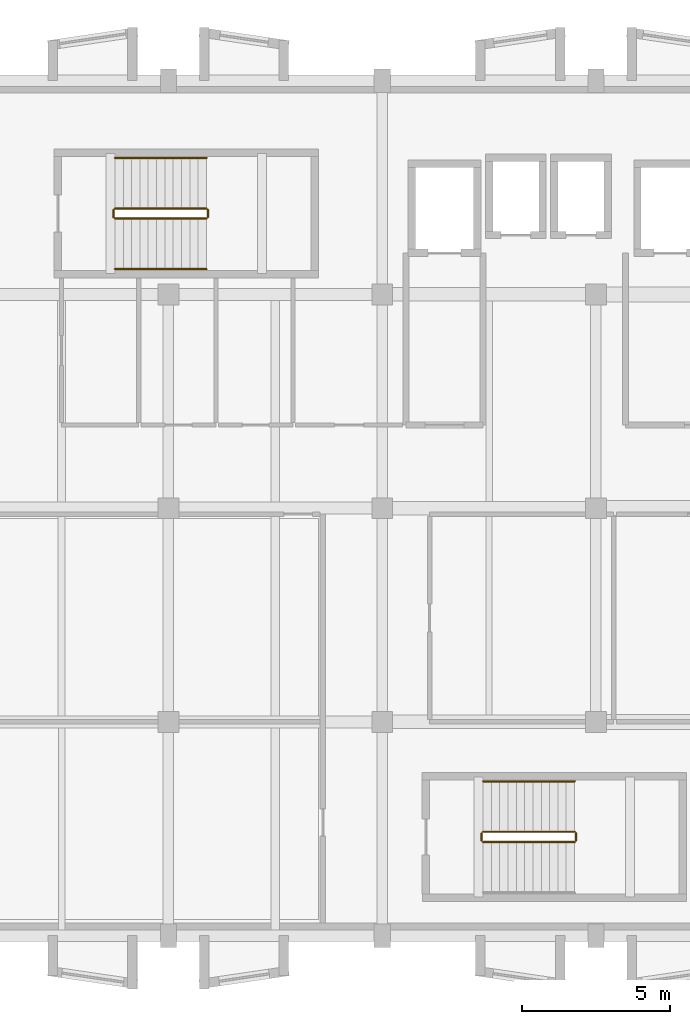
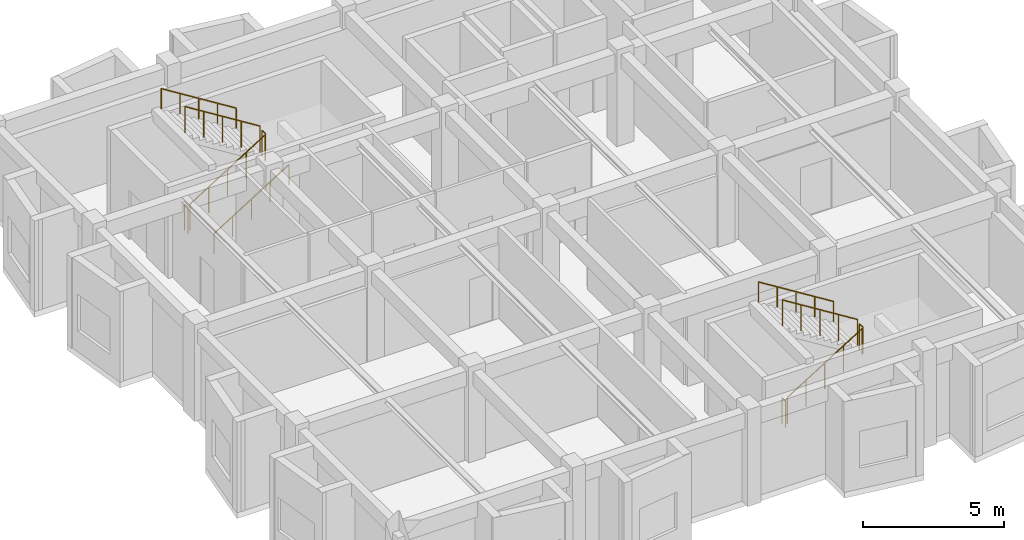
# One storey, part 49 of 49: 11 railings.
"""IFC4 building model written with IfcOpenShell, lengths in metres."""

import ifcopenshell
import ifcopenshell.guid

model = None  # the IFC model being written
_history = None  # IfcOwnerHistory: only IFC2X3 demands one
_inside = {}  # id of a spatial element -> (the spatial element, [elements in it])
_under = {}  # id of a project, library or spatial element -> (it, [spatial elements below it])
_declared = {}  # id of a project -> (the project, [libraries it declares])
_typed = {}  # id of a type object -> (the type object, [elements of that type])
_made_of = {}  # id of a material, layer set ... -> (it, [elements and type objects made of it])


def new_model(schema):
    """Start an empty IFC model of exactly this schema.

    Asked for "IFC4X3", IfcOpenShell would pick the latest addendum, in which some entities
    have other attributes; the version numbers below select the first issue.
    IFC2X3 requires an IfcOwnerHistory on every rooted entity: one is made here for all.
    """
    global model, _history
    if schema == "IFC4X3":
        model = ifcopenshell.file(schema_version=(4, 3, 0, 0))
    else:
        model = ifcopenshell.file(schema=schema)
    _inside.clear()
    _under.clear()
    _declared.clear()
    _typed.clear()
    _made_of.clear()
    _history = None
    if model.schema == "IFC2X3":
        org = make("IfcOrganization", Name="unknown")
        user = make(
            "IfcPersonAndOrganization",
            ThePerson=make("IfcPerson", FamilyName="unknown"),
            TheOrganization=org,
        )
        app = make(
            "IfcApplication",
            ApplicationDeveloper=org,
            Version="unknown",
            ApplicationFullName="unknown",
            ApplicationIdentifier="unknown",
        )
        _history = make(
            "IfcOwnerHistory",
            OwningUser=user,
            OwningApplication=app,
            ChangeAction="ADDED",
            CreationDate=0,
        )
    return model


def make(cls, **values):
    """One entity of the class cls with the attributes given. An attribute that is None is left unset."""
    return model.create_entity(
        cls, **{name: value for name, value in values.items() if value is not None}
    )


def rooted(cls, **values):
    """An entity with a GlobalId (a new one), such as an element, a storey or a relation."""
    return make(cls, GlobalId=ifcopenshell.guid.new(), OwnerHistory=_history, **values)


def si_unit(unit_type, name, prefix=None):
    """IfcSIUnit, for example si_unit("LENGTHUNIT", "METRE", prefix="MILLI")."""
    return make("IfcSIUnit", UnitType=unit_type, Prefix=prefix, Name=name)


def assignment(units):
    """IfcUnitAssignment: the units of a project."""
    return None if units is None else make("IfcUnitAssignment", Units=units)


def point(xyz):
    """IfcCartesianPoint."""
    return None if xyz is None else make("IfcCartesianPoint", Coordinates=xyz)


def direction(xyz):
    """IfcDirection."""
    return None if xyz is None else make("IfcDirection", DirectionRatios=xyz)


def frame(location, z_axis=None, x_axis=None):
    """IfcAxis2Placement3D, a coordinate frame: its origin and axes. An axis left out is left unset."""
    return make(
        "IfcAxis2Placement3D",
        Location=point(location),
        Axis=direction(z_axis),
        RefDirection=direction(x_axis),
    )


def frame_2d(location, x_axis=None):
    """IfcAxis2Placement2D, a coordinate frame in the plane: its origin and x axis."""
    return make(
        "IfcAxis2Placement2D", Location=point(location), RefDirection=direction(x_axis)
    )


def origin():
    """The frame at (0, 0, 0) with its axes left unset."""
    return frame((0.0, 0.0, 0.0))


def origin_2d():
    """The frame at (0, 0) in the plane with its x axis left unset."""
    return frame_2d((0.0, 0.0))


def place(relative_to, where):
    """IfcLocalPlacement: puts the frame where relative to a parent placement (None: the world)."""
    return make(
        "IfcLocalPlacement", PlacementRelTo=relative_to, RelativePlacement=where
    )


def context(
    kind, dimensions, precision=None, world=None, true_north=None, identifier=None
):
    """IfcGeometricRepresentationContext, for example the 3D "Model" context."""
    return make(
        "IfcGeometricRepresentationContext",
        ContextIdentifier=identifier,
        ContextType=kind,
        CoordinateSpaceDimension=dimensions,
        Precision=precision,
        WorldCoordinateSystem=world,
        TrueNorth=true_north,
    )


def subcontext(parent, identifier, kind, view, scale=None):
    """IfcGeometricRepresentationSubContext, for example "Body" below "Model"."""
    return make(
        "IfcGeometricRepresentationSubContext",
        ContextIdentifier=identifier,
        ContextType=kind,
        ParentContext=parent,
        TargetScale=scale,
        TargetView=view,
    )


def project(units=None, contexts=None):
    """IfcProject with its units and contexts."""
    return rooted(
        "IfcProject",
        Name="project",
        RepresentationContexts=contexts,
        UnitsInContext=assignment(units),
    )


def spatial(cls, under=None, at=None, **own):
    """A site, building, storey or space (cls), placed at a placement, below another one or the project."""
    s = rooted(cls, ObjectPlacement=at, **own)
    if under is not None:
        _under.setdefault(under.id(), (under, []))[1].append(s)
    return s


def profile(cls, at=None, kind="AREA", **sizes):
    """A parametric profile (cls). Its sizes go by their IFC names, for example OverallWidth=200.0."""
    return make(cls, ProfileType=kind, Position=at, **sizes)


def circle(**sizes):
    """IfcCircleProfileDef."""
    return profile("IfcCircleProfileDef", **sizes)


def extrude(swept, where, along, depth):
    """IfcExtrudedAreaSolid: the profile swept, set in the frame where, extruded along a direction by depth."""
    return make(
        "IfcExtrudedAreaSolid",
        SweptArea=swept,
        Position=where,
        ExtrudedDirection=direction(along),
        Depth=depth,
    )


def shape(context_of_items, identifier, shape_type, items):
    """IfcShapeRepresentation: the items that make up one representation, for example the "Body"."""
    return make(
        "IfcShapeRepresentation",
        ContextOfItems=context_of_items,
        RepresentationIdentifier=identifier,
        RepresentationType=shape_type,
        Items=items,
    )


def material(Name=None, Category=None):
    """IfcMaterial."""
    return make("IfcMaterial", Name=Name, Category=Category)


def made_of(thing, what):
    """Note that an element or type object is made of a material, layer set ...; save() writes the relation."""
    if what is not None:
        _made_of.setdefault(what.id(), (what, []))[1].append(thing)
    return thing


def type_object(cls, material=None, **own):
    """A type object (cls), such as IfcWallType, which elements share."""
    return made_of(rooted(cls, **own), material)


def element(
    cls,
    number,
    at=None,
    inside=None,
    cuts=None,
    type_object=None,
    material=None,
    context=None,
    identifier="Body",
    shape_type=None,
    held_by="IfcProductDefinitionShape",
    body=None,
    shapes=None,
    **own,
):
    """One element of the class cls, such as IfcWall. Its Tag is "e" and its number.

    at: its placement. inside: the storey or other place that contains it. cuts: it is an
    opening in that element (IfcRelVoidsElement). A single representation is given by context,
    identifier, shape_type and body (its items); several are given by shapes. held_by: the class
    of the entity that holds the representations. save() writes the other relations.
    """
    e = rooted(cls, Tag="e%d" % number, ObjectPlacement=at, **own)
    if body is not None:
        shapes = [shape(context, identifier, shape_type, body)]
    if shapes is not None:
        e.Representation = make(held_by, Representations=shapes)
    if inside is not None:
        _inside.setdefault(inside.id(), (inside, []))[1].append(e)
    if cuts is not None:
        rooted(
            "IfcRelVoidsElement", RelatingBuildingElement=cuts, RelatedOpeningElement=e
        )
    if type_object is not None:
        _typed.setdefault(type_object.id(), (type_object, []))[1].append(e)
    return made_of(e, material)


def aggregate(whole, parts):
    """IfcRelAggregates: a whole, such as a stair, and the parts it consists of."""
    return rooted("IfcRelAggregates", RelatingObject=whole, RelatedObjects=parts)


def save(model, path):
    """Write the relations noted so far, then the file.

    IfcRelAggregates (storeys below a building ...), IfcRelContainedInSpatialStructure (elements
    in a storey), IfcRelDefinesByType, IfcRelAssociatesMaterial and IfcRelDeclares: one each for
    every whole, place, type object, material and project.
    """
    for whole, parts in _under.values():
        aggregate(whole, parts)
    for where, things in _inside.values():
        rooted(
            "IfcRelContainedInSpatialStructure",
            RelatedElements=things,
            RelatingStructure=where,
        )
    for kind, things in _typed.values():
        rooted("IfcRelDefinesByType", RelatedObjects=things, RelatingType=kind)
    for what, things in _made_of.values():
        rooted("IfcRelAssociatesMaterial", RelatedObjects=things, RelatingMaterial=what)
    for by, libraries in _declared.values():
        rooted("IfcRelDeclares", RelatingContext=by, RelatedDefinitions=libraries)
    model.write(path)


model = new_model("IFC4")

# Units and contexts
model_context = context("Model", 3, precision=1e-05, world=origin(), true_north=direction((0.0, 1.0)))
body_context = subcontext(model_context, "Body", "Model", "MODEL_VIEW")
ifc_project = project(units=[si_unit("LENGTHUNIT", "METRE"), si_unit("AREAUNIT", "SQUARE_METRE"), si_unit("VOLUMEUNIT", "CUBIC_METRE"), si_unit("PLANEANGLEUNIT", "RADIAN"), si_unit("MASSUNIT", "GRAM", prefix="KILO")], contexts=[model_context])

# Site, building, storey
site_placement = place(None, origin())
site = spatial("IfcSite", under=ifc_project, at=site_placement, CompositionType="ELEMENT")
building_placement = place(site_placement, origin())
building = spatial("IfcBuilding", under=site, at=building_placement, Name="Bramveld Media Centre", CompositionType="ELEMENT")
storey_placement = place(building_placement, frame((0.0, 0.0, 9.60009765625)))
storey = spatial("IfcBuildingStorey", under=building, at=storey_placement, Name="L02", CompositionType="ELEMENT", Elevation=9.60009765625)

# Railings
ifc_material_1 = material(Name="Painted galvanized steel stairwell guardrail", Category="steel")
railing_type_1 = type_object("IfcRailingType", Name="RAIL-STAIR-GUARD-1150", PredefinedType="GUARDRAIL", material=ifc_material_1)
railing_1_placement = place(storey_placement, frame((136.60009765625, 107.35009765625, 0.1748046875)))
element("IfcRailing", 1, at=railing_1_placement, inside=storey, type_object=railing_type_1, Name="L02 ST-01 stair guard 1", PredefinedType="GUARDRAIL", context=body_context, shape_type="SweptSolid", body=[
    extrude(circle(Radius=0.02392578125, at=origin_2d()), frame((0.0, 0.0, 1.1259765625), z_axis=(0.847979421464, 0.0, 0.530029150871), x_axis=(0.0, 1.0, 0.0)), (0.0, 0.0, 1.0), 3.632080078125),
    extrude(circle(Radius=0.02099609375, at=origin_2d()), origin(), (0.0, 0.0, 1.0), 1.101806640625),
    extrude(circle(Radius=0.02099609375, at=origin_2d()), frame((0.77001953125, 0.0, 0.481201171875)), (0.0, 0.0, 1.0), 1.101806640625),
    extrude(circle(Radius=0.02099609375, at=origin_2d()), frame((1.5400390625, 0.0, 0.96240234375)), (0.0, 0.0, 1.0), 1.101806640625),
    extrude(circle(Radius=0.02099609375, at=origin_2d()), frame((2.309814453125, 0.0, 1.44384765625)), (0.0, 0.0, 1.0), 1.101806640625),
    extrude(circle(Radius=0.02099609375, at=origin_2d()), frame((3.079833984375, 0.0, 1.925048828125)), (0.0, 0.0, 1.0), 1.101806640625),
])
railing_2_placement = place(storey_placement, frame((139.72998046875, 107.39990234375, 2.099853515625)))
element("IfcRailing", 2, at=railing_2_placement, inside=storey, type_object=railing_type_1, Name="L02 ST-01 stair guard 2", PredefinedType="GUARDRAIL", context=body_context, shape_type="SweptSolid", body=[
    extrude(circle(Radius=0.02392578125, at=origin_2d()), frame((0.0, 0.0, 1.1259765625), z_axis=(0.0, 1.0, 0.0), x_axis=(-1.0, 0.0, 0.0)), (0.0, 0.0, 1.0), 0.25),
    extrude(circle(Radius=0.02099609375, at=origin_2d()), origin(), (0.0, 0.0, 1.0), 1.101806640625),
    extrude(circle(Radius=0.02099609375, at=origin_2d()), frame((0.0, 0.25, 0.0)), (0.0, 0.0, 1.0), 1.101806640625),
])
railing_3_placement = place(storey_placement, frame((139.679931640625, 107.699951171875, 2.27490234375)))
element("IfcRailing", 3, at=railing_3_placement, inside=storey, type_object=railing_type_1, Name="L02 ST-01 stair guard 3", PredefinedType="GUARDRAIL", context=body_context, shape_type="SweptSolid", body=[
    extrude(circle(Radius=0.02392578125, at=origin_2d()), frame((0.0, 0.0, 1.1259765625), z_axis=(-0.847979421464, 0.0, 0.530029150871), x_axis=(0.0, -1.0, 0.0)), (0.0, 0.0, 1.0), 3.632080078125),
    extrude(circle(Radius=0.02099609375, at=origin_2d()), origin(), (0.0, 0.0, 1.0), 1.101806640625),
    extrude(circle(Radius=0.02099609375, at=origin_2d()), frame((-0.77001953125, 0.0, 0.481201171875)), (0.0, 0.0, 1.0), 1.101806640625),
    extrude(circle(Radius=0.02099609375, at=origin_2d()), frame((-1.5400390625, 0.0, 0.96240234375)), (0.0, 0.0, 1.0), 1.101806640625),
    extrude(circle(Radius=0.02099609375, at=origin_2d()), frame((-2.309814453125, 0.0, 1.44384765625)), (0.0, 0.0, 1.0), 1.101806640625),
    extrude(circle(Radius=0.02099609375, at=origin_2d()), frame((-3.079833984375, 0.0, 1.925048828125)), (0.0, 0.0, 1.0), 1.101806640625),
])
railing_4_placement = place(storey_placement, frame((136.550048828125, 107.39990234375, 0.0)))
element("IfcRailing", 4, at=railing_4_placement, inside=storey, type_object=railing_type_1, Name="L02 ST-01 stair guard 4", PredefinedType="GUARDRAIL", context=body_context, shape_type="SweptSolid", body=[
    extrude(circle(Radius=0.02392578125, at=origin_2d()), frame((0.0, 0.0, 1.1259765625), z_axis=(0.0, 1.0, 0.0), x_axis=(-1.0, 0.0, 0.0)), (0.0, 0.0, 1.0), 0.25),
    extrude(circle(Radius=0.02099609375, at=origin_2d()), origin(), (0.0, 0.0, 1.0), 1.101806640625),
    extrude(circle(Radius=0.02099609375, at=origin_2d()), frame((0.0, 0.25, 0.0)), (0.0, 0.0, 1.0), 1.101806640625),
])
railing_5_placement = place(storey_placement, frame((149.0, 86.35009765625, 0.1748046875)))
element("IfcRailing", 5, at=railing_5_placement, inside=storey, type_object=railing_type_1, Name="L02 ST-02 stair guard 1", PredefinedType="GUARDRAIL", context=body_context, shape_type="SweptSolid", body=[
    extrude(circle(Radius=0.02392578125, at=origin_2d()), frame((0.0, 0.0, 1.1259765625), z_axis=(0.847998304005, 0.0, 0.529998940003), x_axis=(0.0, 1.0, 0.0)), (0.0, 0.0, 1.0), 3.632080078125),
    extrude(circle(Radius=0.02099609375, at=origin_2d()), origin(), (0.0, 0.0, 1.0), 1.101806640625),
    extrude(circle(Radius=0.02099609375, at=origin_2d()), frame((0.77001953125, 0.0, 0.481201171875)), (0.0, 0.0, 1.0), 1.101806640625),
    extrude(circle(Radius=0.02099609375, at=origin_2d()), frame((1.5400390625, 0.0, 0.96240234375)), (0.0, 0.0, 1.0), 1.101806640625),
    extrude(circle(Radius=0.02099609375, at=origin_2d()), frame((2.31005859375, 0.0, 1.44384765625)), (0.0, 0.0, 1.0), 1.101806640625),
    extrude(circle(Radius=0.02099609375, at=origin_2d()), frame((3.080078125, 0.0, 1.925048828125)), (0.0, 0.0, 1.0), 1.101806640625),
])
railing_6_placement = place(storey_placement, frame((152.1298828125, 86.39990234375, 2.099853515625)))
element("IfcRailing", 6, at=railing_6_placement, inside=storey, type_object=railing_type_1, Name="L02 ST-02 stair guard 2", PredefinedType="GUARDRAIL", context=body_context, shape_type="SweptSolid", body=[
    extrude(circle(Radius=0.02392578125, at=origin_2d()), frame((0.0, 0.0, 1.1259765625), z_axis=(0.0, 1.0, 0.0), x_axis=(-1.0, 0.0, 0.0)), (0.0, 0.0, 1.0), 0.25),
    extrude(circle(Radius=0.02099609375, at=origin_2d()), origin(), (0.0, 0.0, 1.0), 1.101806640625),
    extrude(circle(Radius=0.02099609375, at=origin_2d()), frame((0.0, 0.25, 0.0)), (0.0, 0.0, 1.0), 1.101806640625),
])
railing_7_placement = place(storey_placement, frame((152.080078125, 86.699951171875, 2.27490234375)))
element("IfcRailing", 7, at=railing_7_placement, inside=storey, type_object=railing_type_1, Name="L02 ST-02 stair guard 3", PredefinedType="GUARDRAIL", context=body_context, shape_type="SweptSolid", body=[
    extrude(circle(Radius=0.02392578125, at=origin_2d()), frame((0.0, 0.0, 1.1259765625), z_axis=(-0.847998304005, 0.0, 0.529998940003), x_axis=(0.0, -1.0, 0.0)), (0.0, 0.0, 1.0), 3.632080078125),
    extrude(circle(Radius=0.02099609375, at=origin_2d()), origin(), (0.0, 0.0, 1.0), 1.101806640625),
    extrude(circle(Radius=0.02099609375, at=origin_2d()), frame((-0.77001953125, 0.0, 0.481201171875)), (0.0, 0.0, 1.0), 1.101806640625),
    extrude(circle(Radius=0.02099609375, at=origin_2d()), frame((-1.5400390625, 0.0, 0.96240234375)), (0.0, 0.0, 1.0), 1.101806640625),
    extrude(circle(Radius=0.02099609375, at=origin_2d()), frame((-2.31005859375, 0.0, 1.44384765625)), (0.0, 0.0, 1.0), 1.101806640625),
    extrude(circle(Radius=0.02099609375, at=origin_2d()), frame((-3.080078125, 0.0, 1.925048828125)), (0.0, 0.0, 1.0), 1.101806640625),
])
railing_8_placement = place(storey_placement, frame((148.949951171875, 86.39990234375, 0.0)))
element("IfcRailing", 8, at=railing_8_placement, inside=storey, type_object=railing_type_1, Name="L02 ST-02 stair guard 4", PredefinedType="GUARDRAIL", context=body_context, shape_type="SweptSolid", body=[
    extrude(circle(Radius=0.02392578125, at=origin_2d()), frame((0.0, 0.0, 1.1259765625), z_axis=(0.0, 1.0, 0.0), x_axis=(-1.0, 0.0, 0.0)), (0.0, 0.0, 1.0), 0.25),
    extrude(circle(Radius=0.02099609375, at=origin_2d()), origin(), (0.0, 0.0, 1.0), 1.101806640625),
    extrude(circle(Radius=0.02099609375, at=origin_2d()), frame((0.0, 0.25, 0.0)), (0.0, 0.0, 1.0), 1.101806640625),
])
ifc_material_2 = material(Name="Brushed stainless steel tubular stair handrail", Category="steel")
railing_type_2 = type_object("IfcRailingType", Name="RAIL-STAIR-HAND-0920", PredefinedType="HANDRAIL", material=ifc_material_2)
railing_9_placement = place(storey_placement, frame((136.60009765625, 105.64990234375, 0.1748046875)))
element("IfcRailing", 9, at=railing_9_placement, inside=storey, type_object=railing_type_2, Name="L02 ST-01 stair handrail 1", PredefinedType="HANDRAIL", context=body_context, shape_type="SweptSolid", body=[
    extrude(circle(Radius=0.02392578125, at=origin_2d()), frame((0.0, 0.0, 0.8759765625), z_axis=(0.847979421464, 0.0, 0.530029150871), x_axis=(0.0, 1.0, 0.0)), (0.0, 0.0, 1.0), 3.632080078125),
    extrude(circle(Radius=0.02099609375, at=origin_2d()), origin(), (0.0, 0.0, 1.0), 0.851806640625),
    extrude(circle(Radius=0.02099609375, at=origin_2d()), frame((0.77001953125, 0.0, 0.481201171875)), (0.0, 0.0, 1.0), 0.851806640625),
    extrude(circle(Radius=0.02099609375, at=origin_2d()), frame((1.5400390625, 0.0, 0.96240234375)), (0.0, 0.0, 1.0), 0.851806640625),
    extrude(circle(Radius=0.02099609375, at=origin_2d()), frame((2.309814453125, 0.0, 1.44384765625)), (0.0, 0.0, 1.0), 0.851806640625),
    extrude(circle(Radius=0.02099609375, at=origin_2d()), frame((3.079833984375, 0.0, 1.925048828125)), (0.0, 0.0, 1.0), 0.851806640625),
])
railing_10_placement = place(storey_placement, frame((139.679931640625, 109.39990234375, 2.27490234375)))
element("IfcRailing", 10, at=railing_10_placement, inside=storey, type_object=railing_type_2, Name="L02 ST-01 stair handrail 2", PredefinedType="HANDRAIL", context=body_context, shape_type="SweptSolid", body=[
    extrude(circle(Radius=0.02392578125, at=origin_2d()), frame((0.0, 0.0, 0.8759765625), z_axis=(-0.847979421464, 0.0, 0.530029150871), x_axis=(0.0, -1.0, 0.0)), (0.0, 0.0, 1.0), 3.632080078125),
    extrude(circle(Radius=0.02099609375, at=origin_2d()), origin(), (0.0, 0.0, 1.0), 0.851806640625),
    extrude(circle(Radius=0.02099609375, at=origin_2d()), frame((-0.77001953125, 0.0, 0.481201171875)), (0.0, 0.0, 1.0), 0.851806640625),
    extrude(circle(Radius=0.02099609375, at=origin_2d()), frame((-1.5400390625, 0.0, 0.96240234375)), (0.0, 0.0, 1.0), 0.851806640625),
    extrude(circle(Radius=0.02099609375, at=origin_2d()), frame((-2.309814453125, 0.0, 1.44384765625)), (0.0, 0.0, 1.0), 0.851806640625),
    extrude(circle(Radius=0.02099609375, at=origin_2d()), frame((-3.079833984375, 0.0, 1.925048828125)), (0.0, 0.0, 1.0), 0.851806640625),
])
railing_11_placement = place(storey_placement, frame((152.080078125, 88.39990234375, 2.27490234375)))
element("IfcRailing", 11, at=railing_11_placement, inside=storey, type_object=railing_type_2, Name="L02 ST-02 stair handrail 2", PredefinedType="HANDRAIL", context=body_context, shape_type="SweptSolid", body=[
    extrude(circle(Radius=0.02392578125, at=origin_2d()), frame((0.0, 0.0, 0.8759765625), z_axis=(-0.847998304005, 0.0, 0.529998940003), x_axis=(0.0, -1.0, 0.0)), (0.0, 0.0, 1.0), 3.632080078125),
    extrude(circle(Radius=0.02099609375, at=origin_2d()), origin(), (0.0, 0.0, 1.0), 0.851806640625),
    extrude(circle(Radius=0.02099609375, at=origin_2d()), frame((-0.77001953125, 0.0, 0.481201171875)), (0.0, 0.0, 1.0), 0.851806640625),
    extrude(circle(Radius=0.02099609375, at=origin_2d()), frame((-1.5400390625, 0.0, 0.96240234375)), (0.0, 0.0, 1.0), 0.851806640625),
    extrude(circle(Radius=0.02099609375, at=origin_2d()), frame((-2.31005859375, 0.0, 1.44384765625)), (0.0, 0.0, 1.0), 0.851806640625),
    extrude(circle(Radius=0.02099609375, at=origin_2d()), frame((-3.080078125, 0.0, 1.925048828125)), (0.0, 0.0, 1.0), 0.851806640625),
])

save(model, "model.ifc")
